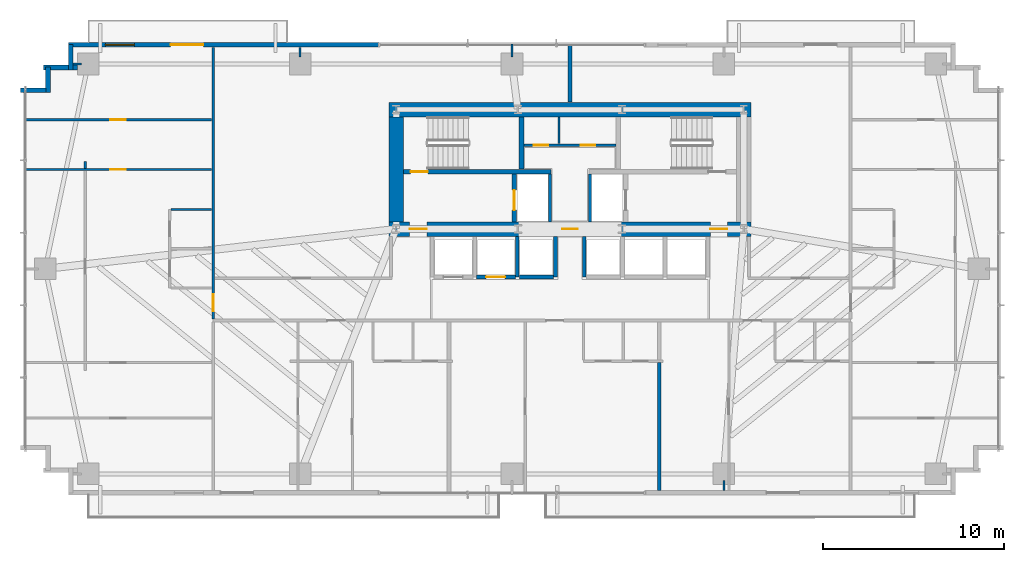
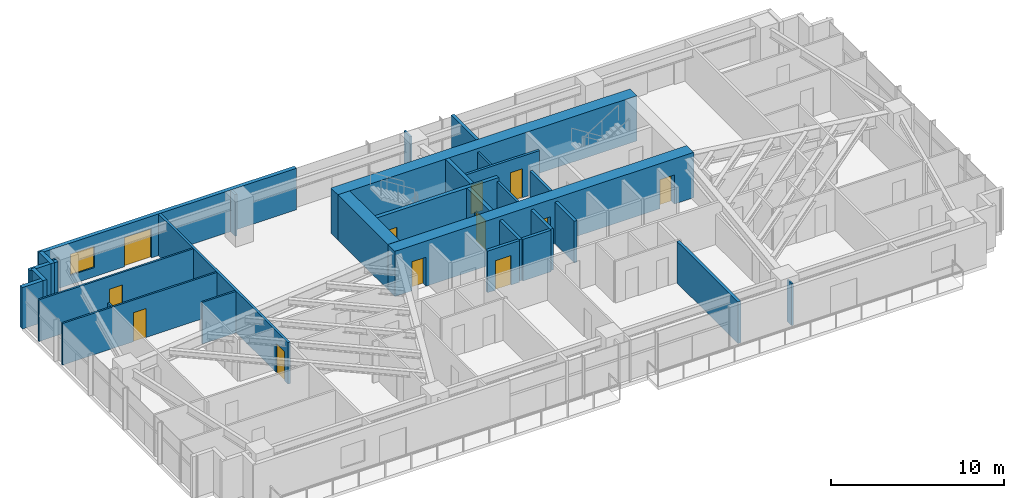
# One storey, part 20 of 25: 31 walls, 12 doors, 1 window, 13 openings.
"""IFC4 building model written with IfcOpenShell, lengths in metres."""

from ifc_helpers import new_model, si_unit, direction, frame, frame_2d, origin, place, context, subcontext, project, spatial, rectangle, extrude, source, transform, mapped, material, layer, layer_set, type_object, type_shapes, element, fill, save


model = new_model("IFC4")

# Units and contexts
model_context = context("Model", 3, precision=1e-05, world=origin(), true_north=direction((0.0, 1.0)))
body_context = subcontext(model_context, "Body", "Model", "MODEL_VIEW")
ifc_project = project(units=[si_unit("LENGTHUNIT", "METRE"), si_unit("AREAUNIT", "SQUARE_METRE"), si_unit("VOLUMEUNIT", "CUBIC_METRE"), si_unit("PLANEANGLEUNIT", "RADIAN"), si_unit("MASSUNIT", "GRAM", prefix="KILO")], contexts=[model_context])

# Site, building, storey
site_placement = place(None, origin())
site = spatial("IfcSite", under=ifc_project, at=site_placement, CompositionType="ELEMENT")
building_placement = place(site_placement, origin())
building = spatial("IfcBuilding", under=site, at=building_placement, Name="Astriad Promenade Condominiums", CompositionType="ELEMENT")
storey_placement = place(building_placement, frame((0.0, 0.0, 58.199951171875)))
storey = spatial("IfcBuildingStorey", under=building, at=storey_placement, Name="L16", CompositionType="ELEMENT", Elevation=58.199951171875)

# Wall, openings, doors
ifc_material_1 = material(Name="Concrete C80/95", Category="concrete")
ifc_layer_1 = layer(ifc_material_1, 0.800048828125)
ifc_layer_set_1 = layer_set([ifc_layer_1], Name="Concrete C80/95")
wall_type_1 = type_object("IfcWallType", Name="CW-SHEAR-800", PredefinedType="SHEAR", material=ifc_layer_set_1)
wall_1_placement = place(storey_placement, frame((26.0, 17.39990234375, 0.0), z_axis=(0.0, 0.0, 1.0), x_axis=(1.0, 0.0, 0.0)))
wall_1 = element("IfcWall", 1, at=wall_1_placement, inside=storey, type_object=wall_type_1, Name="CW-CORE-S-L16", PredefinedType="SHEAR", context=body_context, shape_type="SweptSolid", body=[
    extrude(rectangle(XDim=20.0, YDim=0.800048828125, at=frame_2d((10.0, 0.0))), origin(), (0.0, 0.0, 1.0), 3.199951171875),
])
opening_1_placement = place(wall_1_placement, frame((1.14990234375, 0.0, 0.0)))
opening_1 = element("IfcOpeningElement", 2, at=opening_1_placement, cuts=wall_1, Name="Opening FD90-ST-095", PredefinedType="OPENING", context=body_context, shape_type="SweptSolid", body=[
    extrude(rectangle(XDim=0.949951171875, YDim=2.06005859375, at=frame_2d((0.47509765625, 1.030029296875))), frame((0.0, 0.409912109375, 0.0), z_axis=(0.0, -1.0, 0.0), x_axis=(1.0, 0.0, 0.0)), (0.0, 0.0, 1.0), 0.820068359375),
])
opening_2_placement = place(wall_1_placement, frame((9.580078125, 0.0, 0.0)))
opening_2 = element("IfcOpeningElement", 3, at=opening_2_placement, cuts=wall_1, Name="Opening FD60-ULOW-085", PredefinedType="OPENING", context=body_context, shape_type="SweptSolid", body=[
    extrude(rectangle(XDim=0.85009765625, YDim=2.0, at=frame_2d((0.425048828125, 1.0))), frame((0.0, 0.409912109375, 0.0), z_axis=(0.0, -1.0, 0.0), x_axis=(1.0, 0.0, 0.0)), (0.0, 0.0, 1.0), 0.820068359375),
])
opening_3_placement = place(wall_1_placement, frame((17.75, 0.0, 0.0)))
opening_3 = element("IfcOpeningElement", 4, at=opening_3_placement, cuts=wall_1, Name="Opening FD90-ST-095", PredefinedType="OPENING", context=body_context, shape_type="SweptSolid", body=[
    extrude(rectangle(XDim=0.949951171875, YDim=2.06005859375, at=frame_2d((0.47509765625, 1.030029296875))), frame((0.0, 0.409912109375, 0.0), z_axis=(0.0, -1.0, 0.0), x_axis=(1.0, 0.0, 0.0)), (0.0, 0.0, 1.0), 0.820068359375),
])
ifc_material_2 = material(Name="Fire-Rated Hollow Metal Stair Door")
door_type_1 = type_object("IfcDoorType", Name="FD90-ST-095", OperationType="NOTDEFINED", PredefinedType="DOOR", material=ifc_material_2)
shared_shape_1 = source(origin(), body_context, "Body", "SweptSolid", [
    extrude(rectangle(XDim=0.949951171875, YDim=2.06005859375, at=frame_2d((0.47509765625, 1.030029296875))), frame((0.0, 0.02490234375, 0.0), z_axis=(0.0, -1.0, 0.0), x_axis=(1.0, 0.0, 0.0)), (0.0, 0.0, 1.0), 0.050048828125),
])
type_shapes(door_type_1, [shared_shape_1])
door_1_placement = place(opening_1_placement, origin())
door_1 = element("IfcDoor", 5, at=door_1_placement, inside=storey, type_object=door_type_1, Name="D-FFW-L16", OperationType="SINGLE_SWING_LEFT", OverallHeight=2.06005859375, OverallWidth=0.949951171875, PredefinedType="DOOR", context=body_context, shape_type="MappedRepresentation", body=[
    mapped(shared_shape_1, transform((0.0, 0.0, 0.0), scale=1.0)),
])
fill(opening_1, door_1)
door_2_placement = place(opening_3_placement, origin())
door_2 = element("IfcDoor", 6, at=door_2_placement, inside=storey, type_object=door_type_1, Name="D-FFE-L16", OperationType="SINGLE_SWING_RIGHT", OverallHeight=2.06005859375, OverallWidth=0.949951171875, PredefinedType="DOOR", context=body_context, shape_type="MappedRepresentation", body=[
    mapped(shared_shape_1, transform((0.0, 0.0, 0.0), scale=1.0)),
])
fill(opening_3, door_2)
ifc_material_3 = material(Name="Solid-Core Low-Headroom Fire Door")
door_type_2 = type_object("IfcDoorType", Name="FD60-ULOW-085", OperationType="NOTDEFINED", PredefinedType="DOOR", material=ifc_material_3)
shared_shape_2 = source(origin(), body_context, "Body", "SweptSolid", [
    extrude(rectangle(XDim=0.85009765625, YDim=2.0, at=frame_2d((0.425048828125, 1.0))), frame((0.0, 0.02490234375, 0.0), z_axis=(0.0, -1.0, 0.0), x_axis=(1.0, 0.0, 0.0)), (0.0, 0.0, 1.0), 0.050048828125),
])
type_shapes(door_type_2, [shared_shape_2])
door_3_placement = place(opening_2_placement, origin())
door_3 = element("IfcDoor", 7, at=door_3_placement, inside=storey, type_object=door_type_2, Name="D-CSL-L16", OperationType="SINGLE_SWING_RIGHT", OverallHeight=2.0, OverallWidth=0.85009765625, PredefinedType="DOOR", context=body_context, shape_type="MappedRepresentation", body=[
    mapped(shared_shape_2, transform((0.0, 0.0, 0.0), scale=1.0)),
])
fill(opening_2, door_3)

# Walls
wall_2_placement = place(storey_placement, frame((26.0, 24.0, 0.0), z_axis=(0.0, 0.0, 1.0), x_axis=(1.0, 0.0, 0.0)))
element("IfcWall", 8, at=wall_2_placement, inside=storey, type_object=wall_type_1, Name="CW-CORE-N-L16", PredefinedType="SHEAR", context=body_context, shape_type="SweptSolid", body=[
    extrude(rectangle(XDim=20.0, YDim=0.800048828125, at=frame_2d((10.0, 0.0))), origin(), (0.0, 0.0, 1.0), 3.199951171875),
])
wall_3_placement = place(storey_placement, frame((26.39990234375, 17.802001953125, 0.0), z_axis=(0.0, 0.0, 1.0), x_axis=(0.0, 1.0, 0.0)))
element("IfcWall", 9, at=wall_3_placement, inside=storey, type_object=wall_type_1, Name="CW-CORE-W-L16", PredefinedType="SHEAR", context=body_context, shape_type="SweptSolid", body=[
    extrude(rectangle(XDim=5.7958984375, YDim=0.800048828125, at=frame_2d((2.89794921875, 0.0))), origin(), (0.0, 0.0, 1.0), 3.199951171875),
])

# Wall, opening, door
ifc_material_4 = material(Name="Concrete C50/60", Category="concrete")
ifc_layer_2 = layer(ifc_material_4, 0.25)
ifc_layer_set_2 = layer_set([ifc_layer_2], Name="Concrete C50/60")
wall_type_2 = type_object("IfcWallType", Name="WALL-CORE-INT-250", PredefinedType="SOLIDWALL", material=ifc_layer_set_2)
wall_4_placement = place(storey_placement, frame((26.802001953125, 20.574951171875, 0.0), z_axis=(0.0, 0.0, 1.0), x_axis=(1.0, 0.0, 0.0)))
wall_4 = element("IfcWall", 10, at=wall_4_placement, inside=storey, type_object=wall_type_2, Name="CW-INT-H1-L16", PredefinedType="SOLIDWALL", context=body_context, shape_type="SweptSolid", body=[
    extrude(rectangle(XDim=8.14794921875, YDim=0.25, at=frame_2d((4.073974609375, 0.0))), origin(), (0.0, 0.0, 1.0), 3.199951171875),
])
opening_4_placement = place(wall_4_placement, frame((0.39794921875, 0.0, 0.0)))
opening_4 = element("IfcOpeningElement", 11, at=opening_4_placement, cuts=wall_4, Name="Opening FD90-ST-095", PredefinedType="OPENING", context=body_context, shape_type="SweptSolid", body=[
    extrude(rectangle(XDim=0.949951171875, YDim=2.06005859375, at=frame_2d((0.47509765625, 1.030029296875))), frame((0.0, 0.135009765625, 0.0), z_axis=(0.0, -1.0, 0.0), x_axis=(1.0, 0.0, 0.0)), (0.0, 0.0, 1.0), 0.27001953125),
])
door_4_placement = place(opening_4_placement, origin())
door_4 = element("IfcDoor", 12, at=door_4_placement, inside=storey, type_object=door_type_1, Name="D-ST1-L16", OperationType="SINGLE_SWING_LEFT", OverallHeight=2.06005859375, OverallWidth=0.949951171875, PredefinedType="DOOR", context=body_context, shape_type="MappedRepresentation", body=[
    mapped(shared_shape_1, transform((0.0, 0.0, 0.0), scale=1.0)),
])
fill(opening_4, door_4)

# Wall
wall_5_placement = place(storey_placement, frame((33.324951171875, 20.701904296875, 0.0), z_axis=(0.0, 0.0, 1.0), x_axis=(0.0, 1.0, 0.0)))
element("IfcWall", 13, at=wall_5_placement, inside=storey, type_object=wall_type_2, Name="CW-ST1-E-L16", PredefinedType="SOLIDWALL", context=body_context, shape_type="SweptSolid", body=[
    extrude(rectangle(XDim=2.89599609375, YDim=0.25, at=frame_2d((1.447998046875, 0.0))), origin(), (0.0, 0.0, 1.0), 3.199951171875),
])

# Wall, opening, door
wall_6_placement = place(storey_placement, frame((32.925048828125, 17.802001953125, 0.0), z_axis=(0.0, 0.0, 1.0), x_axis=(0.0, 1.0, 0.0)))
wall_6 = element("IfcWall", 14, at=wall_6_placement, inside=storey, type_object=wall_type_2, Name="CW-FFL1-W-L16", PredefinedType="SOLIDWALL", context=body_context, shape_type="SweptSolid", body=[
    extrude(rectangle(XDim=2.64599609375, YDim=0.25, at=frame_2d((1.322998046875, 0.0))), origin(), (0.0, 0.0, 1.0), 3.199951171875),
])
opening_5_placement = place(wall_6_placement, frame((0.64794921875, 0.0, 0.0)))
opening_5 = element("IfcOpeningElement", 15, at=opening_5_placement, cuts=wall_6, Name="Opening LD-FFL-1122", PredefinedType="OPENING", context=body_context, shape_type="SweptSolid", body=[
    extrude(rectangle(XDim=1.10009765625, YDim=2.080078125, at=frame_2d((0.550048828125, 1.0400390625))), frame((0.0, 0.135009765625, 0.0), z_axis=(0.0, -1.0, 0.0), x_axis=(1.0, 0.0, 0.0)), (0.0, 0.0, 1.0), 0.27001953125),
])
ifc_material_5 = material(Name="Brushed Stainless Steel Fire Elevator Landing Door", Category="steel")
door_type_3 = type_object("IfcDoorType", Name="LD-FFL-1122", OperationType="NOTDEFINED", PredefinedType="DOOR", material=ifc_material_5)
shared_shape_3 = source(origin(), body_context, "Body", "SweptSolid", [
    extrude(rectangle(XDim=1.10009765625, YDim=2.080078125, at=frame_2d((0.550048828125, 1.0400390625))), frame((0.0, 0.02490234375, 0.0), z_axis=(0.0, -1.0, 0.0), x_axis=(1.0, 0.0, 0.0)), (0.0, 0.0, 1.0), 0.050048828125),
])
type_shapes(door_type_3, [shared_shape_3])
door_5_placement = place(opening_5_placement, origin())
door_5 = element("IfcDoor", 16, at=door_5_placement, inside=storey, type_object=door_type_3, Name="Elevator Landing Door FFL-1 (L16)", OperationType="SLIDING_TO_LEFT", OverallHeight=2.080078125, OverallWidth=1.10009765625, PredefinedType="DOOR", context=body_context, shape_type="MappedRepresentation", body=[
    mapped(shared_shape_3, transform((0.0, 0.0, 0.0), scale=1.0)),
])
fill(opening_5, door_5)

# Walls
ifc_material_6 = material(Name="Fire-Rated Gypsum Partition")
ifc_layer_3 = layer(ifc_material_6, 0.159912109375)
ifc_layer_set_3 = layer_set([ifc_layer_3], Name="Fire-Rated Gypsum Partition")
wall_type_3 = type_object("IfcWallType", Name="WALL-CORR-160", PredefinedType="PARTITIONING", material=ifc_layer_set_3)
for number, where, z_axis, x_axis, name in (
    (17, (34.89990234375, 17.802001953125, 0.0), (0.0, 0.0, 1.0), (0.0, 1.0, 0.0), "CW-FFL1-E-L16"),
    (18, (37.10009765625, 17.802001953125, 0.0), (0.0, 0.0, 1.0), (0.0, 1.0, 0.0), "CW-FFL2-W-L16"),
):
    element("IfcWall", number, at=place(storey_placement, frame(where, z_axis=z_axis, x_axis=x_axis)), inside=storey, type_object=wall_type_3, Name=name, PredefinedType="PARTITIONING", context=body_context, shape_type="SweptSolid", body=[
        extrude(rectangle(XDim=2.64599609375, YDim=0.159912109375, at=frame_2d((1.322998046875, 0.0))), origin(), (0.0, 0.0, 1.0), 2.93994140625),
    ])

# Wall, openings, doors
wall_7_placement = place(storey_placement, frame((33.451904296875, 22.030029296875, 0.0), z_axis=(0.0, 0.0, 1.0), x_axis=(1.0, 0.0, 0.0)))
wall_7 = element("IfcWall", 19, at=wall_7_placement, inside=storey, type_object=wall_type_3, Name="CW-AUX-N-L16", PredefinedType="PARTITIONING", context=body_context, shape_type="SweptSolid", body=[
    extrude(rectangle(XDim=5.09619140625, YDim=0.159912109375, at=frame_2d((2.548095703125, 0.0))), origin(), (0.0, 0.0, 1.0), 2.93994140625),
])
opening_6_placement = place(wall_7_placement, frame((0.5380859375, 0.0, 0.0)))
opening_6 = element("IfcOpeningElement", 20, at=opening_6_placement, cuts=wall_7, Name="Opening FD60-SV-080", PredefinedType="OPENING", context=body_context, shape_type="SweptSolid", body=[
    extrude(rectangle(XDim=0.800048828125, YDim=2.050048828125, at=frame_2d((0.39990234375, 1.02490234375))), frame((0.0, 0.08984375, 0.0), z_axis=(0.0, -1.0, 0.0), x_axis=(1.0, 0.0, 0.0)), (0.0, 0.0, 1.0), 0.179931640625),
])
opening_7_placement = place(wall_7_placement, frame((3.157958984375, 0.0, 0.0)))
opening_7 = element("IfcOpeningElement", 21, at=opening_7_placement, cuts=wall_7, Name="Opening FD60-SV-080", PredefinedType="OPENING", context=body_context, shape_type="SweptSolid", body=[
    extrude(rectangle(XDim=0.800048828125, YDim=2.050048828125, at=frame_2d((0.39990234375, 1.02490234375))), frame((0.0, 0.08984375, 0.0), z_axis=(0.0, -1.0, 0.0), x_axis=(1.0, 0.0, 0.0)), (0.0, 0.0, 1.0), 0.179931640625),
])
ifc_material_7 = material(Name="Fire-Rated Riser Closet Door")
door_type_4 = type_object("IfcDoorType", Name="FD60-SV-080", OperationType="NOTDEFINED", PredefinedType="DOOR", material=ifc_material_7)
shared_shape_4 = source(origin(), body_context, "Body", "SweptSolid", [
    extrude(rectangle(XDim=0.800048828125, YDim=2.050048828125, at=frame_2d((0.39990234375, 1.02490234375))), frame((0.0, 0.02490234375, 0.0), z_axis=(0.0, -1.0, 0.0), x_axis=(1.0, 0.0, 0.0)), (0.0, 0.0, 1.0), 0.050048828125),
])
type_shapes(door_type_4, [shared_shape_4])
door_6_placement = place(opening_6_placement, origin())
door_6 = element("IfcDoor", 22, at=door_6_placement, inside=storey, type_object=door_type_4, Name="D-AUX1-L16", OperationType="SINGLE_SWING_LEFT", OverallHeight=2.050048828125, OverallWidth=0.800048828125, PredefinedType="DOOR", context=body_context, shape_type="MappedRepresentation", body=[
    mapped(shared_shape_4, transform((0.0, 0.0, 0.0), scale=1.0)),
])
fill(opening_6, door_6)
door_7_placement = place(opening_7_placement, origin())
door_7 = element("IfcDoor", 23, at=door_7_placement, inside=storey, type_object=door_type_4, Name="D-AUX2-L16", OperationType="SINGLE_SWING_RIGHT", OverallHeight=2.050048828125, OverallWidth=0.800048828125, PredefinedType="DOOR", context=body_context, shape_type="MappedRepresentation", body=[
    mapped(shared_shape_4, transform((0.0, 0.0, 0.0), scale=1.0)),
])
fill(opening_7, door_7)

# Wall, opening, door
wall_8_placement = place(storey_placement, frame((16.300048828125, 12.431884765625, 0.0), z_axis=(0.0, 0.0, 1.0), x_axis=(0.0, 1.0, 0.0)))
wall_8 = element("IfcWall", 24, at=wall_8_placement, inside=storey, type_object=wall_type_3, Name="PT-COR-W-L16-S2", PredefinedType="PARTITIONING", context=body_context, shape_type="SweptSolid", body=[
    extrude(rectangle(XDim=15.006103515625, YDim=0.159912109375, at=frame_2d((7.5029296875, 0.0))), origin(), (0.0, 0.0, 1.0), 2.93994140625),
])
opening_8_placement = place(wall_8_placement, frame((0.428955078125, 0.0, 0.0)))
opening_8 = element("IfcOpeningElement", 25, at=opening_8_placement, cuts=wall_8, Name="Opening FD60-APT-095", PredefinedType="OPENING", context=body_context, shape_type="SweptSolid", body=[
    extrude(rectangle(XDim=0.949951171875, YDim=2.06005859375, at=frame_2d((0.47509765625, 1.030029296875))), frame((0.0, 0.08984375, 0.0), z_axis=(0.0, -1.0, 0.0), x_axis=(1.0, 0.0, 0.0)), (0.0, 0.0, 1.0), 0.179931640625),
])
ifc_material_8 = material(Name="Solid-Core Acoustic Timber Residence Entry Door", Category="wood")
door_type_5 = type_object("IfcDoorType", Name="FD60-APT-095", OperationType="NOTDEFINED", PredefinedType="DOOR", material=ifc_material_8)
shared_shape_5 = source(origin(), body_context, "Body", "SweptSolid", [
    extrude(rectangle(XDim=0.949951171875, YDim=2.06005859375, at=frame_2d((0.47509765625, 1.030029296875))), frame((0.0, 0.02490234375, 0.0), z_axis=(0.0, -1.0, 0.0), x_axis=(1.0, 0.0, 0.0)), (0.0, 0.0, 1.0), 0.050048828125),
])
type_shapes(door_type_5, [shared_shape_5])
door_8_placement = place(opening_8_placement, origin())
door_8 = element("IfcDoor", 26, at=door_8_placement, inside=storey, type_object=door_type_5, Name="D-ENT-L16-W1", OperationType="SINGLE_SWING_RIGHT", OverallHeight=2.06005859375, OverallWidth=0.949951171875, PredefinedType="DOOR", context=body_context, shape_type="MappedRepresentation", body=[
    mapped(shared_shape_5, transform((0.0, 0.0, 0.0), scale=1.0)),
])
fill(opening_8, door_8)

# Walls
ifc_material_9 = material(Name="Acoustic Double-Stud Gypsum Partition")
ifc_layer_4 = layer(ifc_material_9, 0.199951171875)
ifc_layer_set_4 = layer_set([ifc_layer_4], Name="Acoustic Double-Stud Gypsum Partition")
wall_type_4 = type_object("IfcWallType", Name="WALL-DEMISING-200", PredefinedType="PARTITIONING", material=ifc_layer_set_4)
wall_9_placement = place(storey_placement, frame((36.0, 24.402099609375, 0.0), z_axis=(0.0, 0.0, 1.0), x_axis=(0.0, 1.0, 0.0)))
element("IfcWall", 27, at=wall_9_placement, inside=storey, type_object=wall_type_4, Name="PT-NC-MID-L16", PredefinedType="PARTITIONING", context=body_context, shape_type="SweptSolid", body=[
    extrude(rectangle(XDim=3.218017578125, YDim=0.199951171875, at=frame_2d((1.60888671875, 0.0))), origin(), (0.0, 0.0, 1.0), 2.93994140625),
])
wall_10_placement = place(storey_placement, frame((40.93994140625, 2.9619140625, 0.0), z_axis=(0.0, 0.0, 1.0), x_axis=(0.0, 1.0, 0.0)))
element("IfcWall", 28, at=wall_10_placement, inside=storey, type_object=wall_type_4, Name="PT-DEM-S2-L16", PredefinedType="PARTITIONING", context=body_context, shape_type="SweptSolid", body=[
    extrude(rectangle(XDim=7.076171875, YDim=0.199951171875, at=frame_2d((3.5380859375, 0.0))), origin(), (0.0, 0.0, 1.0), 2.93994140625),
])
ifc_material_10 = material(Name="Precast concrete C50/60", Category="concrete")
ifc_layer_5 = layer(ifc_material_10, 0.260009765625)
ifc_layer_set_5 = layer_set([ifc_layer_5], Name="Precast concrete C50/60")
wall_type_5 = type_object("IfcWallType", Name="WALL-EXT-TWR-260", PredefinedType="STANDARD", material=ifc_layer_set_5)
for number, where, z_axis, x_axis, name in (
    (29, (5.669921875, 25.070068359375, 0.0), (0.0, 0.0, 1.0), (1.0, 0.0, 0.0), "W-SER-L16-04"),
    (30, (7.179931640625, 24.93994140625, 0.0), (0.0, 0.0, 1.0), (0.0, 1.0, 0.0), "W-SER-L16-05"),
):
    element("IfcWall", number, at=place(storey_placement, frame(where, z_axis=z_axis, x_axis=x_axis)), inside=storey, type_object=wall_type_5, Name=name, PredefinedType="STANDARD", context=body_context, shape_type="SweptSolid", body=[
        extrude(rectangle(XDim=1.39501953125, YDim=0.260009765625, at=frame_2d((0.697509765625, 0.0))), origin(), (0.0, 0.0, 1.0), 2.93994140625),
    ])
wall_11_placement = place(storey_placement, frame((6.919921875, 26.320068359375, 0.0), z_axis=(0.0, 0.0, 1.0), x_axis=(1.0, 0.0, 0.0)))
element("IfcWall", 31, at=wall_11_placement, inside=storey, type_object=wall_type_5, Name="W-SER-L16-06", PredefinedType="STANDARD", context=body_context, shape_type="SweptSolid", body=[
    extrude(rectangle(XDim=1.878173828125, YDim=0.260009765625, at=frame_2d((0.93896484375, 0.0))), origin(), (0.0, 0.0, 1.0), 2.93994140625),
])
wall_12_placement = place(storey_placement, frame((8.429931640625, 26.18994140625, 0.0), z_axis=(0.0, 0.0, 1.0), x_axis=(0.0, 1.0, 0.0)))
element("IfcWall", 32, at=wall_12_placement, inside=storey, type_object=wall_type_5, Name="W-SER-L16-07", PredefinedType="STANDARD", context=body_context, shape_type="SweptSolid", body=[
    extrude(rectangle(XDim=1.39501953125, YDim=0.260009765625, at=frame_2d((0.697509765625, 0.0))), origin(), (0.0, 0.0, 1.0), 2.93994140625),
])

# Wall, openings, door, window
wall_13_placement = place(storey_placement, frame((8.300048828125, 27.570068359375, 0.0), z_axis=(0.0, 0.0, 1.0), x_axis=(1.0, 0.0, 0.0)))
wall_13 = element("IfcWall", 33, at=wall_13_placement, inside=storey, type_object=wall_type_5, Name="W-EXT-L16-N1", PredefinedType="STANDARD", context=body_context, shape_type="SweptSolid", body=[
    extrude(rectangle(XDim=17.14990234375, YDim=0.260009765625, at=frame_2d((8.574951171875, 0.0))), origin(), (0.0, 0.0, 1.0), 2.93994140625),
])
opening_9_placement = place(wall_13_placement, frame((5.654052734375, 0.0, 0.0)))
opening_9 = element("IfcOpeningElement", 34, at=opening_9_placement, cuts=wall_13, Name="Opening BD-1822-SLD", PredefinedType="OPENING", context=body_context, shape_type="SweptSolid", body=[
    extrude(rectangle(XDim=1.800048828125, YDim=2.06005859375, at=frame_2d((0.89990234375, 1.030029296875))), frame((0.0, 0.139892578125, 0.0), z_axis=(0.0, -1.0, 0.0), x_axis=(1.0, 0.0, 0.0)), (0.0, 0.0, 1.0), 0.280029296875),
])
opening_10_placement = place(wall_13_placement, frame((2.050048828125, 0.0, 0.64990234375)))
opening_10 = element("IfcOpeningElement", 35, at=opening_10_placement, cuts=wall_13, Name="Opening WIN-TWR-1620", PredefinedType="OPENING", context=body_context, shape_type="SweptSolid", body=[
    extrude(rectangle(XDim=1.60009765625, YDim=1.5, at=frame_2d((0.800048828125, 0.75))), frame((0.0, 0.139892578125, 0.0), z_axis=(0.0, -1.0, 0.0), x_axis=(1.0, 0.0, 0.0)), (0.0, 0.0, 1.0), 0.280029296875),
])
ifc_material_11 = material(Name="Thermally Broken Aluminium Sliding Balcony Door", Category="aluminium")
door_type_6 = type_object("IfcDoorType", Name="BD-1822-SLD", OperationType="NOTDEFINED", PredefinedType="DOOR", material=ifc_material_11)
shared_shape_6 = source(origin(), body_context, "Body", "SweptSolid", [
    extrude(rectangle(XDim=1.800048828125, YDim=2.06005859375, at=frame_2d((0.89990234375, 1.030029296875))), frame((0.0, 0.02490234375, 0.0), z_axis=(0.0, -1.0, 0.0), x_axis=(1.0, 0.0, 0.0)), (0.0, 0.0, 1.0), 0.050048828125),
])
type_shapes(door_type_6, [shared_shape_6])
door_9_placement = place(opening_9_placement, origin())
door_9 = element("IfcDoor", 36, at=door_9_placement, inside=storey, type_object=door_type_6, Name="BD-L16-NW", OperationType="SLIDING_TO_LEFT", OverallHeight=2.06005859375, OverallWidth=1.800048828125, PredefinedType="DOOR", context=body_context, shape_type="MappedRepresentation", body=[
    mapped(shared_shape_6, transform((0.0, 0.0, 0.0), scale=1.0)),
])
fill(opening_9, door_9)
ifc_material_12 = material(Name="Dark Tinted Triple-Glazed Aluminium Window", Category="aluminium")
window_type = type_object("IfcWindowType", Name="WIN-TWR-1620", PartitioningType="SINGLE_PANEL", PredefinedType="WINDOW", material=ifc_material_12)
shared_shape_7 = source(origin(), body_context, "Body", "SweptSolid", [
    extrude(rectangle(XDim=1.60009765625, YDim=1.5, at=frame_2d((0.800048828125, 0.75))), frame((0.0, 0.030029296875, 0.0), z_axis=(0.0, -1.0, 0.0), x_axis=(1.0, 0.0, 0.0)), (0.0, 0.0, 1.0), 0.06005859375),
])
type_shapes(window_type, [shared_shape_7])
window_placement = place(opening_10_placement, origin())
window = element("IfcWindow", 37, at=window_placement, inside=storey, type_object=window_type, Name="WIN-L16-NW", OverallHeight=1.5, OverallWidth=1.60009765625, PartitioningType="SINGLE_PANEL", PredefinedType="WINDOW", context=body_context, shape_type="MappedRepresentation", body=[
    mapped(shared_shape_7, transform((0.0, 0.0, 0.0), scale=1.0)),
])
fill(opening_10, window)

# Walls
ifc_material_13 = material(Name="Acoustic Metal-Stud Gypsum Partition")
ifc_layer_6 = layer(ifc_material_13, 0.1201171875)
ifc_layer_set_6 = layer_set([ifc_layer_6], Name="Acoustic Metal-Stud Gypsum Partition")
wall_type_6 = type_object("IfcWallType", Name="WALL-PART-120", PredefinedType="PARTITIONING", material=ifc_layer_set_6)
wall_14_placement = place(storey_placement, frame((35.39990234375, 22.112060546875, 0.0), z_axis=(0.0, 0.0, 1.0), x_axis=(0.0, 1.0, 0.0)))
element("IfcWall", 38, at=wall_14_placement, inside=storey, type_object=wall_type_6, Name="CW-AUX-V1-L16", PredefinedType="PARTITIONING", context=body_context, shape_type="SweptSolid", body=[
    extrude(rectangle(XDim=1.48583984375, YDim=0.1201171875, at=frame_2d((0.742919921875, 0.0))), origin(), (0.0, 0.0, 1.0), 2.93994140625),
])
wall_15_placement = place(storey_placement, frame((13.9619140625, 18.486083984375, 0.0), z_axis=(0.0, 0.0, 1.0), x_axis=(1.0, 0.0, 0.0)))
element("IfcWall", 39, at=wall_15_placement, inside=storey, type_object=wall_type_6, Name="PT-L16-W1-PN", PredefinedType="PARTITIONING", context=body_context, shape_type="SweptSolid", body=[
    extrude(rectangle(XDim=2.256103515625, YDim=0.1201171875, at=frame_2d((1.1279296875, 0.0))), origin(), (0.0, 0.0, 1.0), 2.93994140625),
])

# Wall, opening, door
wall_16_placement = place(storey_placement, frame((5.8798828125, 23.43994140625, 0.0), z_axis=(0.0, 0.0, 1.0), x_axis=(1.0, 0.0, 0.0)))
wall_16 = element("IfcWall", 40, at=wall_16_placement, inside=storey, type_object=wall_type_6, Name="PT-L16-W1-WDN2", PredefinedType="PARTITIONING", context=body_context, shape_type="SweptSolid", body=[
    extrude(rectangle(XDim=10.338134765625, YDim=0.1201171875, at=frame_2d((5.1689453125, 0.0))), origin(), (0.0, 0.0, 1.0), 2.93994140625),
])
opening_11_placement = place(wall_16_placement, frame((4.735107421875, 0.0, 0.0)))
opening_11 = element("IfcOpeningElement", 41, at=opening_11_placement, cuts=wall_16, Name="Opening D-INT-085", PredefinedType="OPENING", context=body_context, shape_type="SweptSolid", body=[
    extrude(rectangle(XDim=0.85009765625, YDim=2.050048828125, at=frame_2d((0.425048828125, 1.02490234375))), frame((0.0, 0.070068359375, 0.0), z_axis=(0.0, -1.0, 0.0), x_axis=(1.0, 0.0, 0.0)), (0.0, 0.0, 1.0), 0.14013671875),
])
ifc_material_14 = material(Name="Painted Solid-Core Timber Room Door", Category="wood")
door_type_7 = type_object("IfcDoorType", Name="D-INT-085", OperationType="NOTDEFINED", PredefinedType="DOOR", material=ifc_material_14)
shared_shape_8 = source(origin(), body_context, "Body", "SweptSolid", [
    extrude(rectangle(XDim=0.85009765625, YDim=2.050048828125, at=frame_2d((0.425048828125, 1.02490234375))), frame((0.0, 0.02490234375, 0.0), z_axis=(0.0, -1.0, 0.0), x_axis=(1.0, 0.0, 0.0)), (0.0, 0.0, 1.0), 0.050048828125),
])
type_shapes(door_type_7, [shared_shape_8])
door_10_placement = place(opening_11_placement, origin())
door_10 = element("IfcDoor", 42, at=door_10_placement, inside=storey, type_object=door_type_7, Name="D-WDN2-L16-W1", OperationType="SINGLE_SWING_RIGHT", OverallHeight=2.050048828125, OverallWidth=0.85009765625, PredefinedType="DOOR", context=body_context, shape_type="MappedRepresentation", body=[
    mapped(shared_shape_8, transform((0.0, 0.0, 0.0), scale=1.0)),
])
fill(opening_11, door_10)

wall_17_placement = place(storey_placement, frame((5.8798828125, 20.68798828125, 0.0), z_axis=(0.0, 0.0, 1.0), x_axis=(1.0, 0.0, 0.0)))
wall_17 = element("IfcWall", 43, at=wall_17_placement, inside=storey, type_object=wall_type_6, Name="PT-L16-W1-WDN4", PredefinedType="PARTITIONING", context=body_context, shape_type="SweptSolid", body=[
    extrude(rectangle(XDim=10.338134765625, YDim=0.1201171875, at=frame_2d((5.1689453125, 0.0))), origin(), (0.0, 0.0, 1.0), 2.93994140625),
])
opening_12_placement = place(wall_17_placement, frame((4.735107421875, 0.0, 0.0)))
opening_12 = element("IfcOpeningElement", 44, at=opening_12_placement, cuts=wall_17, Name="Opening D-INT-085", PredefinedType="OPENING", context=body_context, shape_type="SweptSolid", body=[
    extrude(rectangle(XDim=0.85009765625, YDim=2.050048828125, at=frame_2d((0.425048828125, 1.02490234375))), frame((0.0, 0.070068359375, 0.0), z_axis=(0.0, -1.0, 0.0), x_axis=(1.0, 0.0, 0.0)), (0.0, 0.0, 1.0), 0.14013671875),
])
door_11_placement = place(opening_12_placement, origin())
door_11 = element("IfcDoor", 45, at=door_11_placement, inside=storey, type_object=door_type_7, Name="D-WDN4-L16-W1", OperationType="SINGLE_SWING_RIGHT", OverallHeight=2.050048828125, OverallWidth=0.85009765625, PredefinedType="DOOR", context=body_context, shape_type="MappedRepresentation", body=[
    mapped(shared_shape_8, transform((0.0, 0.0, 0.0), scale=1.0)),
])
fill(opening_12, door_11)

# Walls
wall_18_placement = place(storey_placement, frame((9.237060546875, 20.75, 0.0), z_axis=(0.0, 0.0, 1.0), x_axis=(0.0, 1.0, 0.0)))
element("IfcWall", 46, at=wall_18_placement, inside=storey, type_object=wall_type_6, Name="PT-L16-W1-WDV5-S3", PredefinedType="PARTITIONING", context=body_context, shape_type="SweptSolid", body=[
    extrude(rectangle(XDim=0.3779296875, YDim=0.1201171875, at=frame_2d((0.18896484375, 0.0))), origin(), (0.0, 0.0, 1.0), 2.93994140625),
])
wall_19_placement = place(storey_placement, frame((44.5, 3.5, 0.0), z_axis=(0.0, 0.0, 1.0), x_axis=(0.0, -1.0, 0.0)))
element("IfcWall", 47, at=wall_19_placement, inside=storey, type_object=wall_type_6, Name="PT-PIL-L16-PC04-11", PredefinedType="PARTITIONING", context=body_context, shape_type="SweptSolid", body=[
    extrude(rectangle(XDim=0.5380859375, YDim=0.1201171875, at=frame_2d((0.26904296875, 0.0))), origin(), (0.0, 0.0, 1.0), 2.93994140625),
])
wall_20_placement = place(storey_placement, frame((9.02001953125, 26.52001953125, 0.0), z_axis=(0.0, 0.0, 1.0), x_axis=(-1.0, 0.0, 0.0)))
element("IfcWall", 48, at=wall_20_placement, inside=storey, type_object=wall_type_6, Name="PT-PIL-L16-PC06-13", PredefinedType="PARTITIONING", context=body_context, shape_type="SweptSolid", body=[
    extrude(rectangle(XDim=0.4580078125, YDim=0.1201171875, at=frame_2d((0.22900390625, 0.0))), origin(), (0.0, 0.0, 1.0), 2.93994140625),
])
wall_21_placement = place(storey_placement, frame((21.10009765625, 26.89990234375, 0.0), z_axis=(0.0, 0.0, 1.0), x_axis=(0.0, 1.0, 0.0)))
element("IfcWall", 49, at=wall_21_placement, inside=storey, type_object=wall_type_6, Name="PT-PIL-L16-PC07-14", PredefinedType="PARTITIONING", context=body_context, shape_type="SweptSolid", body=[
    extrude(rectangle(XDim=0.5380859375, YDim=0.1201171875, at=frame_2d((0.26904296875, 0.0))), origin(), (0.0, 0.0, 1.0), 2.93994140625),
])
wall_22_placement = place(storey_placement, frame((32.800048828125, 26.89990234375, 0.0), z_axis=(0.0, 0.0, 1.0), x_axis=(0.0, 1.0, 0.0)))
element("IfcWall", 50, at=wall_22_placement, inside=storey, type_object=wall_type_6, Name="PT-PIL-L16-PC08-15", PredefinedType="PARTITIONING", context=body_context, shape_type="SweptSolid", body=[
    extrude(rectangle(XDim=0.72021484375, YDim=0.1201171875, at=frame_2d((0.360107421875, 0.0))), origin(), (0.0, 0.0, 1.0), 2.93994140625),
])
ifc_material_15 = material(Name="Gypsum Shaftliner Assembly")
ifc_layer_7 = layer(ifc_material_15, 0.199951171875)
ifc_layer_set_7 = layer_set([ifc_layer_7], Name="Gypsum Shaftliner Assembly")
wall_type_7 = type_object("IfcWallType", Name="WALL-SHAFT-200", PredefinedType="PARTITIONING", material=ifc_layer_set_7)
wall_23_placement = place(storey_placement, frame((33.10009765625, 14.75, 0.0), z_axis=(0.0, 0.0, 1.0), x_axis=(0.0, 1.0, 0.0)))
element("IfcWall", 51, at=wall_23_placement, inside=storey, type_object=wall_type_7, Name="PL-LM-DIV-L16", PredefinedType="PARTITIONING", context=body_context, shape_type="SweptSolid", body=[
    extrude(rectangle(XDim=2.248046875, YDim=0.199951171875, at=frame_2d((1.1240234375, 0.0))), origin(), (0.0, 0.0, 1.0), 2.93994140625),
])

# Wall, opening, door
wall_24_placement = place(storey_placement, frame((30.85205078125, 14.75, 0.0), z_axis=(0.0, 0.0, 1.0), x_axis=(1.0, 0.0, 0.0)))
wall_24 = element("IfcWall", 52, at=wall_24_placement, inside=storey, type_object=wall_type_7, Name="PL-L-FRT-L16-S2", PredefinedType="PARTITIONING", context=body_context, shape_type="SweptSolid", body=[
    extrude(rectangle(XDim=2.14599609375, YDim=0.199951171875, at=frame_2d((1.072998046875, 0.0))), origin(), (0.0, 0.0, 1.0), 2.93994140625),
])
opening_13_placement = place(wall_24_placement, frame((0.52294921875, 0.0, 0.0)))
opening_13 = element("IfcOpeningElement", 53, at=opening_13_placement, cuts=wall_24, Name="Opening LD-PL-10522", PredefinedType="OPENING", context=body_context, shape_type="SweptSolid", body=[
    extrude(rectangle(XDim=1.050048828125, YDim=2.080078125, at=frame_2d((0.52490234375, 1.0400390625))), frame((0.0, 0.10986328125, 0.0), z_axis=(0.0, -1.0, 0.0), x_axis=(1.0, 0.0, 0.0)), (0.0, 0.0, 1.0), 0.219970703125),
])
ifc_material_16 = material(Name="Brushed Bronze Passenger Elevator Landing Door")
door_type_8 = type_object("IfcDoorType", Name="LD-PL-10522", OperationType="NOTDEFINED", PredefinedType="DOOR", material=ifc_material_16)
shared_shape_9 = source(origin(), body_context, "Body", "SweptSolid", [
    extrude(rectangle(XDim=1.050048828125, YDim=2.080078125, at=frame_2d((0.52490234375, 1.0400390625))), frame((0.0, 0.02490234375, 0.0), z_axis=(0.0, -1.0, 0.0), x_axis=(1.0, 0.0, 0.0)), (0.0, 0.0, 1.0), 0.050048828125),
])
type_shapes(door_type_8, [shared_shape_9])
door_12_placement = place(opening_13_placement, origin())
door_12 = element("IfcDoor", 54, at=door_12_placement, inside=storey, type_object=door_type_8, Name="Elevator Landing Door PL-L2 (L16)", OperationType="SLIDING_TO_RIGHT", OverallHeight=2.080078125, OverallWidth=1.050048828125, PredefinedType="DOOR", context=body_context, shape_type="MappedRepresentation", body=[
    mapped(shared_shape_9, transform((0.0, 0.0, 0.0), scale=1.0)),
])
fill(opening_13, door_12)

# Walls
wall_25_placement = place(storey_placement, frame((35.199951171875, 14.75, 0.0), z_axis=(0.0, 0.0, 1.0), x_axis=(0.0, 1.0, 0.0)))
element("IfcWall", 55, at=wall_25_placement, inside=storey, type_object=wall_type_7, Name="PL-M1-E-L16", PredefinedType="PARTITIONING", context=body_context, shape_type="SweptSolid", body=[
    extrude(rectangle(XDim=2.248046875, YDim=0.199951171875, at=frame_2d((1.1240234375, 0.0))), origin(), (0.0, 0.0, 1.0), 2.93994140625),
])
wall_26_placement = place(storey_placement, frame((33.201904296875, 14.75, 0.0), z_axis=(0.0, 0.0, 1.0), x_axis=(1.0, 0.0, 0.0)))
element("IfcWall", 56, at=wall_26_placement, inside=storey, type_object=wall_type_7, Name="PL-M1-F-L16", PredefinedType="PARTITIONING", context=body_context, shape_type="SweptSolid", body=[
    extrude(rectangle(XDim=1.89599609375, YDim=0.199951171875, at=frame_2d((0.947998046875, 0.0))), origin(), (0.0, 0.0, 1.0), 2.93994140625),
])
wall_27_placement = place(storey_placement, frame((36.800048828125, 14.75, 0.0), z_axis=(0.0, 0.0, 1.0), x_axis=(0.0, 1.0, 0.0)))
element("IfcWall", 57, at=wall_27_placement, inside=storey, type_object=wall_type_7, Name="PL-M2-W-L16", PredefinedType="PARTITIONING", context=body_context, shape_type="SweptSolid", body=[
    extrude(rectangle(XDim=2.248046875, YDim=0.199951171875, at=frame_2d((1.1240234375, 0.0))), origin(), (0.0, 0.0, 1.0), 2.93994140625),
])

save(model, "model.ifc")
